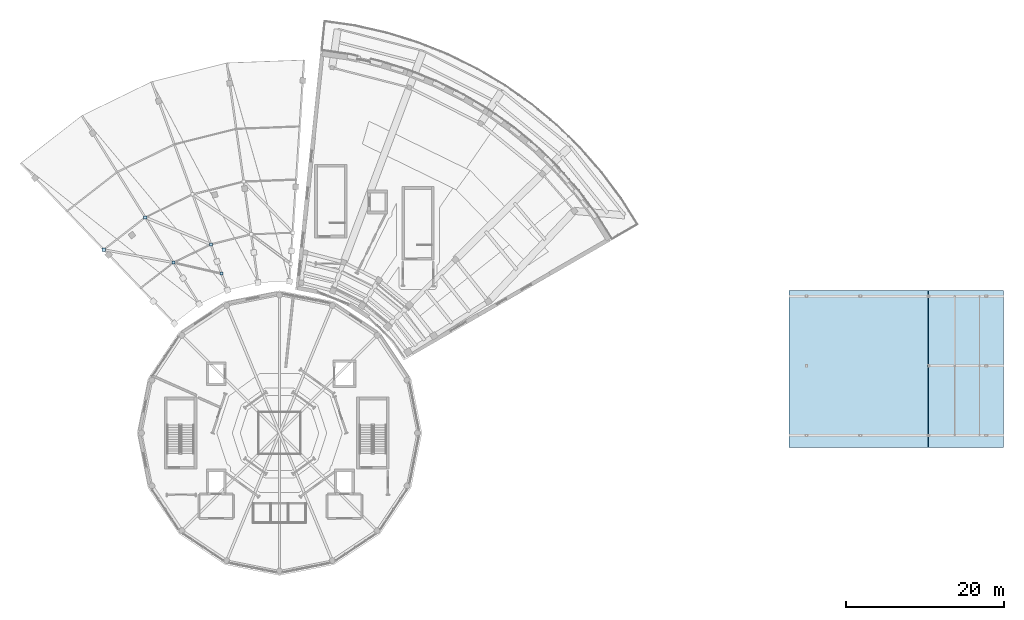
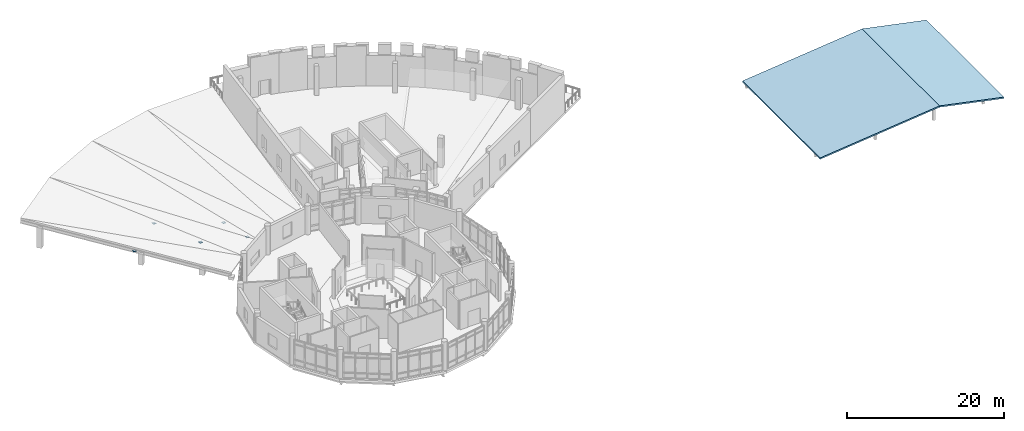
# One storey, part 19 of 27: 6 plates, 2 slabs.
"""IFC4 building model written with IfcOpenShell, lengths in metres."""

from ifc_helpers import new_model, si_unit, direction, frame, origin, origin_2d, place, context, subcontext, project, spatial, polyline, rectangle, outline, extrude, material, layer, layer_set, type_object, element, save


model = new_model("IFC4")

# Units and contexts
model_context = context("Model", 3, precision=1e-05, world=origin(), true_north=direction((0.0, 1.0)))
body_context = subcontext(model_context, "Body", "Model", "MODEL_VIEW")
ifc_project = project(units=[si_unit("LENGTHUNIT", "METRE"), si_unit("AREAUNIT", "SQUARE_METRE"), si_unit("VOLUMEUNIT", "CUBIC_METRE"), si_unit("PLANEANGLEUNIT", "RADIAN"), si_unit("MASSUNIT", "GRAM", prefix="KILO")], contexts=[model_context])

# Site, building, storey
site_placement = place(None, origin())
site = spatial("IfcSite", under=ifc_project, at=site_placement, CompositionType="ELEMENT")
building_placement = place(site_placement, origin())
building = spatial("IfcBuilding", under=site, at=building_placement, Name="Soyqirgoq Riverine Aquarium", CompositionType="ELEMENT")
storey_placement = place(building_placement, frame((0.0, 0.0, 19.800048828125)))
storey = spatial("IfcBuildingStorey", under=building, at=storey_placement, Name="L05", CompositionType="ELEMENT", Elevation=19.800048828125)

# Plates
ifc_material_1 = material(Name="Structural steel S355", Category="steel")
ifc_layer_1 = layer(ifc_material_1, 0.031982421875)
ifc_layer_set_1 = layer_set([ifc_layer_1], Name="Structural steel S355")
plate_type = type_object("IfcPlateType", Name="NodeGussetPlate_32_S355", PredefinedType="SHEET", material=ifc_layer_set_1)
for number, where, z_axis, x_axis, name in (
    (1, (47.322509765625, 80.8408203125, 0.82666015625), (0.0, 0.0, 1.0), (1.0, 0.0, 0.0), "V4 Lateral Wind Brace End Gusset 137"),
    (2, (39.03564453125, 84.254638671875, 1.55126953125), (0.0, 0.0, 1.0), (1.0, 0.0, 0.0), "V4 Lateral Wind Brace End Gusset 138"),
    (3, (42.593017578125, 78.539306640625, 0.83154296875), (0.0, 0.0, 1.0), (1.0, 0.0, 0.0), "V4 Lateral Wind Brace End Gusset 139"),
    (4, (33.780029296875, 80.170654296875, 1.576171875), (0.0, 0.0, 1.0), (1.0, 0.0, 0.0), "V4 Lateral Wind Brace End Gusset 140"),
    (5, (48.665771484375, 77.15087890625, 0.3671875), (0.0, 0.0, 1.0), (1.0, 0.0, 0.0), "V4 Lateral Sub-Rafter Brace End Gusset 153"),
    (6, (42.593017578125, 78.539306640625, 0.7919921875), (0.0, 0.0, 1.0), (1.0, 0.0, 0.0), "V4 Lateral Sub-Rafter Brace End Gusset 154"),
):
    element("IfcPlate", number, at=place(storey_placement, frame(where, z_axis=z_axis, x_axis=x_axis)), inside=storey, type_object=plate_type, Name=name, PredefinedType="SHEET", context=body_context, shape_type="SweptSolid", body=[
        extrude(rectangle(XDim=0.39990234375, YDim=0.39990234375, at=origin_2d()), origin(), (0.0, 0.0, 1.0), 0.031982421875),
    ])

# Slabs
ifc_material_2 = material(Name="Concrete C35/45", Category="concrete")
ifc_layer_2 = layer(ifc_material_2, 0.219970703125)
ifc_layer_set_2 = layer_set([ifc_layer_2], Name="Concrete C35/45")
slab_type = type_object("IfcSlabType", Name="PrairieRoof_220_C35", PredefinedType="ROOF", material=ifc_layer_set_2)
slab_1_placement = place(storey_placement, frame((120.39990234375, 55.199951171875, 0.849853515625), z_axis=(-0.110131902345, 0.0, 0.99391698048), x_axis=(0.99391698048, 0.0, 0.110131902345)))
element("IfcSlab", 7, at=slab_1_placement, inside=storey, type_object=slab_type, Name="V7 West Sloped Prairie Eave Roof", PredefinedType="ROOF", context=body_context, shape_type="SweptSolid", body=[
    extrude(outline(polyline([(0.0, 0.0), (17.707814638357657, 0.0), (17.707814638357657, 19.800048828125), (0.0, 19.800048828125), (0.0, 0.0)])), origin(), (0.0, 0.0, -1.0), 0.219970703125),
])
slab_2_placement = place(storey_placement, frame((138.0, 55.199951171875, 2.800048828125), z_axis=(0.201090325694, 0.0, 0.97957270323), x_axis=(0.97957270323, 0.0, -0.201090325694)))
element("IfcSlab", 8, at=slab_2_placement, inside=storey, type_object=slab_type, Name="V7 East Sloped Prairie Eave Roof", PredefinedType="ROOF", context=body_context, shape_type="SweptSolid", body=[
    extrude(outline(polyline([(0.0, 0.0), (9.698106091237452, 0.0), (9.698106091237452, 19.800048828125), (0.0, 19.800048828125), (0.0, 0.0)])), origin(), (0.0, 0.0, -1.0), 0.219970703125),
])

save(model, "model.ifc")
